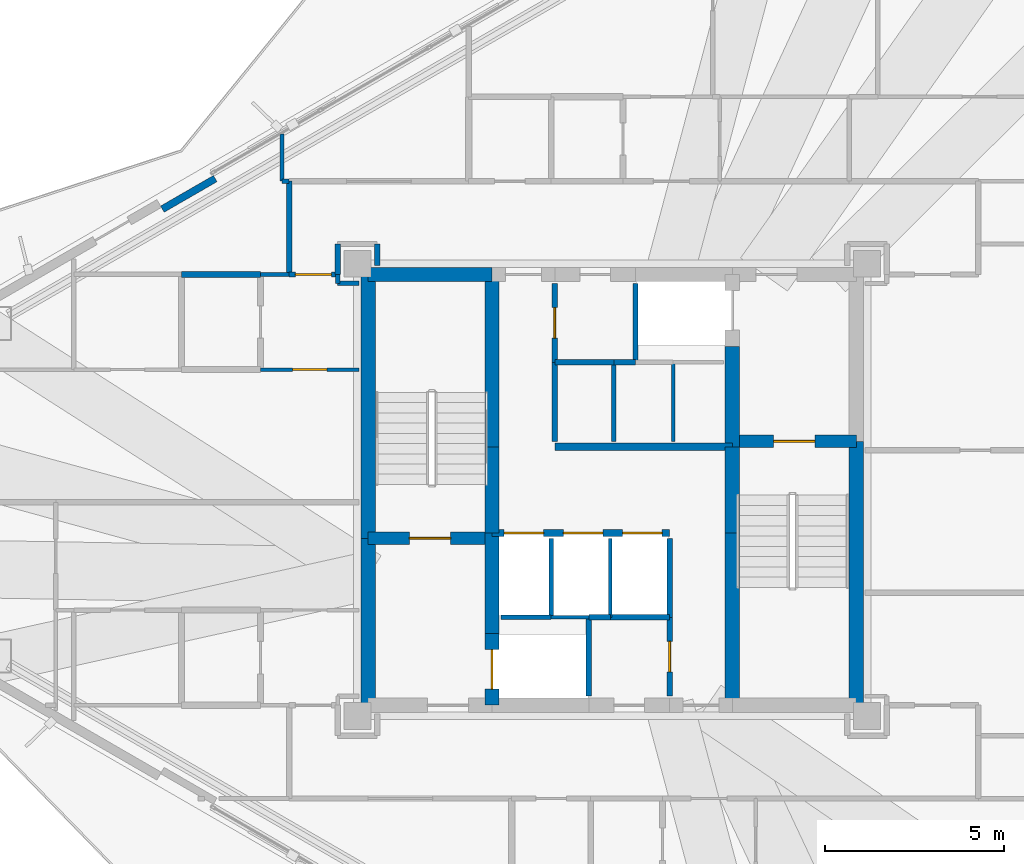
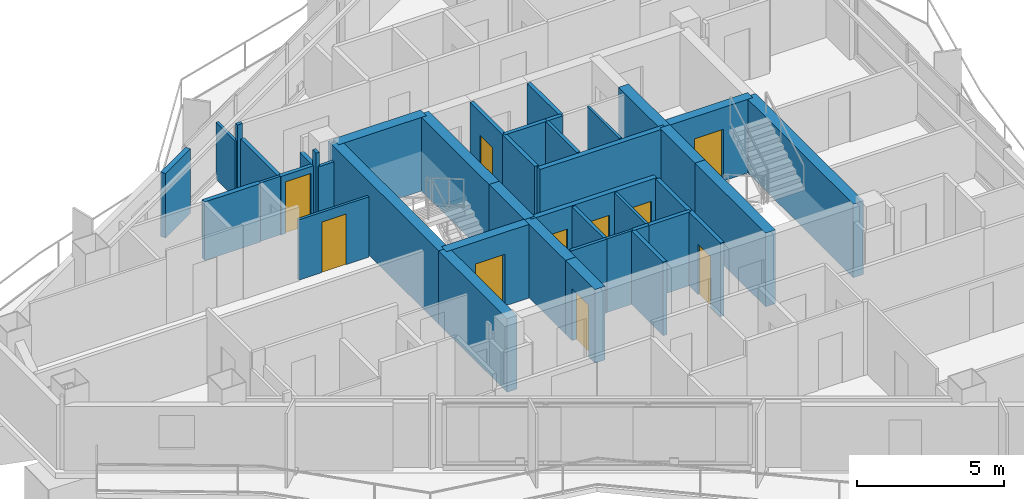
# One storey, part 16 of 21: 43 walls, 10 doors, 10 openings.
"""IFC4 building model written with IfcOpenShell, lengths in metres."""

from ifc_helpers import new_model, si_unit, direction, frame, frame_2d, origin, place, context, subcontext, project, spatial, rectangle, extrude, material, layer, layer_set, type_object, element, fill, save


model = new_model("IFC4")

# Units and contexts
model_context = context("Model", 3, precision=1e-05, world=origin(), true_north=direction((0.0, 1.0)))
body_context = subcontext(model_context, "Body", "Model", "MODEL_VIEW")
ifc_project = project(units=[si_unit("LENGTHUNIT", "METRE"), si_unit("AREAUNIT", "SQUARE_METRE"), si_unit("VOLUMEUNIT", "CUBIC_METRE"), si_unit("PLANEANGLEUNIT", "RADIAN"), si_unit("MASSUNIT", "GRAM", prefix="KILO")], contexts=[model_context])

# Site, building, storey
site_placement = place(None, origin())
site = spatial("IfcSite", under=ifc_project, at=site_placement, CompositionType="ELEMENT")
building_placement = place(site_placement, origin())
building = spatial("IfcBuilding", under=site, at=building_placement, Name="Mersakhor Tower and Convention Hall", CompositionType="ELEMENT")
storey_placement = place(building_placement, frame((0.0, 0.0, 121.199951171875)))
storey = spatial("IfcBuildingStorey", under=building, at=storey_placement, Name="L33", CompositionType="ELEMENT", Elevation=121.199951171875)

# Walls
ifc_material_1 = material(Name="Precast concrete C40/50", Category="concrete")
ifc_layer_1 = layer(ifc_material_1, 0.199951171875)
ifc_layer_set_1 = layer_set([ifc_layer_1], Name="Precast concrete C40/50")
wall_type_1 = type_object("IfcWallType", Name="WL-PAR-200", PredefinedType="PARAPET", material=ifc_layer_set_1)
wall_1_placement = place(storey_placement, frame((16.467529296875, 34.57080078125, 0.0), z_axis=(0.0, 0.0, 1.0), x_axis=(0.865989465428, 0.500062241894, 0.0)))
element("IfcWall", 1, at=wall_1_placement, inside=storey, type_object=wall_type_1, Name="L33 Column Pier Cladding Wall F1-C1", PredefinedType="PARAPET", context=body_context, shape_type="SweptSolid", body=[
    extrude(rectangle(XDim=1.699951171875, YDim=0.199951171875, at=frame_2d((0.85009765625, 0.0))), origin(), (0.0, 0.0, 1.0), 2.679931640625),
])
ifc_material_2 = material(Name="Moisture-resistant acoustic drywall studwork", Category="other")
ifc_layer_2 = layer(ifc_material_2, 0.175048828125)
ifc_layer_set_2 = layer_set([ifc_layer_2], Name="Moisture-resistant acoustic drywall studwork")
wall_type_2 = type_object("IfcWallType", Name="WL-PLM-175", PredefinedType="PLUMBINGWALL", material=ifc_layer_set_2)
wall_2_placement = place(storey_placement, frame((17.0, 32.75, 0.0), z_axis=(0.0, 0.0, 1.0), x_axis=(1.0, 0.0, 0.0)))
element("IfcWall", 2, at=wall_2_placement, inside=storey, type_object=wall_type_2, Name="L33 Interior Partition Wall P-082", PredefinedType="PLUMBINGWALL", context=body_context, shape_type="SweptSolid", body=[
    extrude(rectangle(XDim=2.199951171875, YDim=0.175048828125, at=frame_2d((1.10009765625, 0.0))), origin(), (0.0, 0.0, 1.0), 2.432861328125),
])
ifc_material_3 = material(Name="Lightweight gypsum partition", Category="other")
ifc_layer_3 = layer(ifc_material_3, 0.10009765625)
ifc_layer_set_3 = layer_set([ifc_layer_3], Name="Lightweight gypsum partition")
wall_type_3 = type_object("IfcWallType", Name="WL-PRT-100", PredefinedType="PARTITIONING", material=ifc_layer_set_3)
wall_3_placement = place(storey_placement, frame((27.300048828125, 23.199951171875, 0.0), z_axis=(0.0, 0.0, 1.0), x_axis=(1.0, 0.0, 0.0)))
element("IfcWall", 3, at=wall_3_placement, inside=storey, type_object=wall_type_3, Name="L33 Interior Partition Wall P-002", PredefinedType="PARTITIONING", context=body_context, shape_type="SweptSolid", body=[
    extrude(rectangle(XDim=1.050048828125, YDim=0.10009765625, at=frame_2d((0.52490234375, 0.0))), origin(), (0.0, 0.0, 1.0), 3.06005859375),
])
for number, where, z_axis, x_axis, name in (
    (4, (28.949951171875, 25.39990234375, 0.0), (0.0, 0.0, 1.0), (0.0, -1.0, 0.0), "L33 Interior Partition Wall P-008"),
    (5, (30.699951171875, 30.300048828125, 0.0), (0.0, 0.0, 1.0), (0.0, -1.0, 0.0), "L33 Interior Partition Wall P-016"),
):
    element("IfcWall", number, at=place(storey_placement, frame(where, z_axis=z_axis, x_axis=x_axis)), inside=storey, type_object=wall_type_3, Name=name, PredefinedType="PARTITIONING", context=body_context, shape_type="SweptSolid", body=[
        extrude(rectangle(XDim=2.199951171875, YDim=0.10009765625, at=frame_2d((1.10009765625, 0.0))), origin(), (0.0, 0.0, 1.0), 3.06005859375),
    ])

# Wall, opening, door
wall_4_placement = place(storey_placement, frame((21.949951171875, 30.10009765625, 0.0), z_axis=(0.0, 0.0, 1.0), x_axis=(-1.0, 0.0, 0.0)))
wall_4 = element("IfcWall", 6, at=wall_4_placement, inside=storey, type_object=wall_type_3, Name="L33 Interior Partition Wall P-060", PredefinedType="PARTITIONING", context=body_context, shape_type="SweptSolid", body=[
    extrude(rectangle(XDim=2.75, YDim=0.10009765625, at=frame_2d((1.375, 0.0))), origin(), (0.0, 0.0, 1.0), 2.50830078125),
])
opening_1_placement = place(wall_4_placement, frame((0.89990234375, 0.0, 0.0)))
opening_1 = element("IfcOpeningElement", 7, at=opening_1_placement, cuts=wall_4, Name="Opening RD-01", PredefinedType="OPENING", context=body_context, shape_type="SweptSolid", body=[
    extrude(rectangle(XDim=0.949951171875, YDim=2.10009765625, at=frame_2d((0.47509765625, 1.050048828125))), frame((0.0, 0.06005859375, 0.0), z_axis=(0.0, -1.0, 0.0), x_axis=(1.0, 0.0, 0.0)), (0.0, 0.0, 1.0), 0.1201171875),
])
ifc_material_4 = material(Name="Solid-core hardwood leaf in painted steel frame", Category="steel")
door_type_1 = type_object("IfcDoorType", Name="DR-INT-RM-095x210", OperationType="NOTDEFINED", PredefinedType="DOOR", material=ifc_material_4)
door_1_placement = place(opening_1_placement, origin())
door_1 = element("IfcDoor", 8, at=door_1_placement, inside=storey, type_object=door_type_1, Name="L33 L33 Flat W3 Apartment Hall to L33 Flat W3 Studio Living and Sleeping Room Door", OperationType="SINGLE_SWING_LEFT", OverallHeight=2.10009765625, OverallWidth=0.949951171875, PredefinedType="DOOR", context=body_context, shape_type="SweptSolid", body=[
    extrude(rectangle(XDim=0.949951171875, YDim=2.10009765625, at=frame_2d((0.47509765625, 1.050048828125))), frame((0.0, 0.02490234375, 0.0), z_axis=(0.0, -1.0, 0.0), x_axis=(1.0, 0.0, 0.0)), (0.0, 0.0, 1.0), 0.050048828125),
])
fill(opening_1, door_1)

# Walls
wall_5_placement = place(storey_placement, frame((19.199951171875, 32.75, 0.0), z_axis=(0.0, 0.0, 1.0), x_axis=(1.0, 0.0, 0.0)))
element("IfcWall", 9, at=wall_5_placement, inside=storey, type_object=wall_type_3, Name="L33 Interior Partition Wall P-062", PredefinedType="PARTITIONING", context=body_context, shape_type="SweptSolid", body=[
    extrude(rectangle(XDim=0.800048828125, YDim=0.10009765625, at=frame_2d((0.39990234375, 0.0))), origin(), (0.0, 0.0, 1.0), 2.432861328125),
])
wall_6_placement = place(storey_placement, frame((19.800048828125, 35.35009765625, 0.0), z_axis=(0.0, 0.0, 1.0), x_axis=(0.0, 1.0, 0.0)))
element("IfcWall", 10, at=wall_6_placement, inside=storey, type_object=wall_type_3, Name="L33 Interior Partition Wall P-096", PredefinedType="PARTITIONING", context=body_context, shape_type="SweptSolid", body=[
    extrude(rectangle(XDim=1.30859375, YDim=0.10009765625, at=frame_2d((0.654296875, 0.0))), origin(), (0.0, 0.0, 1.0), 2.364990234375),
])
ifc_material_5 = material(Name="Gypsum board acoustic partition", Category="other")
ifc_layer_4 = layer(ifc_material_5, 0.125)
ifc_layer_set_4 = layer_set([ifc_layer_4], Name="Gypsum board acoustic partition")
wall_type_4 = type_object("IfcWallType", Name="WL-PRT-125", PredefinedType="PARTITIONING", material=ifc_layer_set_4)
wall_7_placement = place(storey_placement, frame((25.89990234375, 23.199951171875, 0.0), z_axis=(0.0, 0.0, 1.0), x_axis=(1.0, 0.0, 0.0)))
element("IfcWall", 11, at=wall_7_placement, inside=storey, type_object=wall_type_4, Name="L33 Interior Partition Wall P-001", PredefinedType="PARTITIONING", context=body_context, shape_type="SweptSolid", body=[
    extrude(rectangle(XDim=1.400146484375, YDim=0.125, at=frame_2d((0.7001953125, 0.0))), origin(), (0.0, 0.0, 1.0), 3.06005859375),
])
for number, where, z_axis, x_axis, name in (
    (12, (27.300048828125, 25.39990234375, 0.0), (0.0, 0.0, 1.0), (0.0, -1.0, 0.0), "L33 Interior Partition Wall P-007"),
    (13, (29.050048828125, 30.300048828125, 0.0), (0.0, 0.0, 1.0), (0.0, -1.0, 0.0), "L33 Interior Partition Wall P-013"),
):
    element("IfcWall", number, at=place(storey_placement, frame(where, z_axis=z_axis, x_axis=x_axis)), inside=storey, type_object=wall_type_4, Name=name, PredefinedType="PARTITIONING", context=body_context, shape_type="SweptSolid", body=[
        extrude(rectangle(XDim=2.199951171875, YDim=0.125, at=frame_2d((1.10009765625, 0.0))), origin(), (0.0, 0.0, 1.0), 3.06005859375),
    ])
wall_8_placement = place(storey_placement, frame((21.35009765625, 32.5, 0.0), z_axis=(0.0, 0.0, 1.0), x_axis=(1.0, 0.0, 0.0)))
element("IfcWall", 14, at=wall_8_placement, inside=storey, type_object=wall_type_4, Name="L33 Interior Partition Wall P-059", PredefinedType="PARTITIONING", context=body_context, shape_type="SweptSolid", body=[
    extrude(rectangle(XDim=0.599853515625, YDim=0.125, at=frame_2d((0.2998046875, 0.0))), origin(), (0.0, 0.0, 1.0), 2.50830078125),
])
wall_9_placement = place(storey_placement, frame((21.35009765625, 32.75, 0.0), z_axis=(0.0, 0.0, 1.0), x_axis=(0.0, -1.0, 0.0)))
element("IfcWall", 15, at=wall_9_placement, inside=storey, type_object=wall_type_4, Name="L33 Interior Partition Wall P-063", PredefinedType="PARTITIONING", context=body_context, shape_type="SweptSolid", body=[
    extrude(rectangle(XDim=0.25, YDim=0.125, at=frame_2d((0.125, 0.0))), origin(), (0.0, 0.0, 1.0), 3.06005859375),
])
wall_10_placement = place(storey_placement, frame((20.0, 35.35009765625, 0.0), z_axis=(0.0, 0.0, 1.0), x_axis=(-1.0, 0.0, 0.0)))
element("IfcWall", 16, at=wall_10_placement, inside=storey, type_object=wall_type_4, Name="L33 Interior Partition Wall P-095", PredefinedType="PARTITIONING", context=body_context, shape_type="SweptSolid", body=[
    extrude(rectangle(XDim=0.199951171875, YDim=0.125, at=frame_2d((0.10009765625, 0.0))), origin(), (0.0, 0.0, 1.0), 3.06005859375),
])
ifc_material_6 = material(Name="Fire-rated gypsum board stud partition", Category="other")
ifc_layer_5 = layer(ifc_material_6, 0.14990234375)
ifc_layer_set_5 = layer_set([ifc_layer_5], Name="Fire-rated gypsum board stud partition")
wall_type_5 = type_object("IfcWallType", Name="WL-PRT-150", PredefinedType="PARTITIONING", material=ifc_layer_set_5)
for number, where, z_axis, x_axis, name in (
    (17, (28.35009765625, 23.199951171875, 0.0), (0.0, 0.0, 1.0), (0.0, -1.0, 0.0), "L33 Interior Partition Wall P-003"),
    (18, (29.64990234375, 30.300048828125, 0.0), (0.0, 0.0, 1.0), (0.0, 1.0, 0.0), "L33 Interior Partition Wall P-006"),
):
    element("IfcWall", number, at=place(storey_placement, frame(where, z_axis=z_axis, x_axis=x_axis)), inside=storey, type_object=wall_type_5, Name=name, PredefinedType="PARTITIONING", context=body_context, shape_type="SweptSolid", body=[
        extrude(rectangle(XDim=2.199951171875, YDim=0.14990234375, at=frame_2d((1.10009765625, 0.0))), origin(), (0.0, 0.0, 1.0), 3.06005859375),
    ])
wall_11_placement = place(storey_placement, frame((28.949951171875, 23.199951171875, 0.0), z_axis=(0.0, 0.0, 1.0), x_axis=(-1.0, 0.0, 0.0)))
element("IfcWall", 19, at=wall_11_placement, inside=storey, type_object=wall_type_5, Name="L33 Interior Partition Wall P-009", PredefinedType="PARTITIONING", context=body_context, shape_type="SweptSolid", body=[
    extrude(rectangle(XDim=0.599853515625, YDim=0.14990234375, at=frame_2d((0.2998046875, 0.0))), origin(), (0.0, 0.0, 1.0), 3.06005859375),
])
wall_12_placement = place(storey_placement, frame((30.60009765625, 25.39990234375, 0.0), z_axis=(0.0, 0.0, 1.0), x_axis=(0.0, -1.0, 0.0)))
element("IfcWall", 20, at=wall_12_placement, inside=storey, type_object=wall_type_5, Name="L33 Interior Partition Wall P-010", PredefinedType="PARTITIONING", context=body_context, shape_type="SweptSolid", body=[
    extrude(rectangle(XDim=2.199951171875, YDim=0.14990234375, at=frame_2d((1.10009765625, 0.0))), origin(), (0.0, 0.0, 1.0), 3.06005859375),
])
for number, where, z_axis, x_axis, name in (
    (21, (30.60009765625, 23.199951171875, 0.0), (0.0, 0.0, 1.0), (-1.0, 0.0, 0.0), "L33 Interior Partition Wall P-011"),
    (22, (27.39990234375, 30.300048828125, 0.0), (0.0, 0.0, 1.0), (1.0, 0.0, 0.0), "L33 Interior Partition Wall P-012"),
):
    element("IfcWall", number, at=place(storey_placement, frame(where, z_axis=z_axis, x_axis=x_axis)), inside=storey, type_object=wall_type_5, Name=name, PredefinedType="PARTITIONING", context=body_context, shape_type="SweptSolid", body=[
        extrude(rectangle(XDim=1.650146484375, YDim=0.14990234375, at=frame_2d((0.8251953125, 0.0))), origin(), (0.0, 0.0, 1.0), 3.06005859375),
    ])
wall_13_placement = place(storey_placement, frame((27.39990234375, 28.10009765625, 0.0), z_axis=(0.0, 0.0, 1.0), x_axis=(0.0, 1.0, 0.0)))
element("IfcWall", 23, at=wall_13_placement, inside=storey, type_object=wall_type_5, Name="L33 Interior Partition Wall P-014", PredefinedType="PARTITIONING", context=body_context, shape_type="SweptSolid", body=[
    extrude(rectangle(XDim=2.199951171875, YDim=0.14990234375, at=frame_2d((1.10009765625, 0.0))), origin(), (0.0, 0.0, 1.0), 3.06005859375),
])
wall_14_placement = place(storey_placement, frame((29.050048828125, 30.300048828125, 0.0), z_axis=(0.0, 0.0, 1.0), x_axis=(1.0, 0.0, 0.0)))
element("IfcWall", 24, at=wall_14_placement, inside=storey, type_object=wall_type_5, Name="L33 Interior Partition Wall P-015", PredefinedType="PARTITIONING", context=body_context, shape_type="SweptSolid", body=[
    extrude(rectangle(XDim=0.599853515625, YDim=0.14990234375, at=frame_2d((0.2998046875, 0.0))), origin(), (0.0, 0.0, 1.0), 3.06005859375),
])

# Wall, opening, door
wall_15_placement = place(storey_placement, frame((30.60009765625, 21.0, 0.0), z_axis=(0.0, 0.0, 1.0), x_axis=(0.0, 1.0, 0.0)))
wall_15 = element("IfcWall", 25, at=wall_15_placement, inside=storey, type_object=wall_type_5, Name="L33 Interior Partition Wall P-017", PredefinedType="PARTITIONING", context=body_context, shape_type="SweptSolid", body=[
    extrude(rectangle(XDim=2.199951171875, YDim=0.14990234375, at=frame_2d((1.10009765625, 0.0))), origin(), (0.0, 0.0, 1.0), 3.06005859375),
])
opening_2_placement = place(wall_15_placement, frame((0.675048828125, 0.0, 0.0)))
opening_2 = element("IfcOpeningElement", 26, at=opening_2_placement, cuts=wall_15, Name="Opening SVD-01", PredefinedType="OPENING", context=body_context, shape_type="SweptSolid", body=[
    extrude(rectangle(XDim=0.85009765625, YDim=2.10009765625, at=frame_2d((0.425048828125, 1.050048828125))), frame((0.0, 0.0849609375, 0.0), z_axis=(0.0, -1.0, 0.0), x_axis=(1.0, 0.0, 0.0)), (0.0, 0.0, 1.0), 0.169921875),
])
ifc_material_7 = material(Name="Fire-rated hardwood leaf and painted steel frame", Category="steel")
door_type_2 = type_object("IfcDoorType", Name="DR-INT-SVC-085x210", OperationType="NOTDEFINED", PredefinedType="DOOR", material=ifc_material_7)
door_2_placement = place(opening_2_placement, origin())
door_2 = element("IfcDoor", 27, at=door_2_placement, inside=storey, type_object=door_type_2, Name="L33 Central Passenger Lift Lobby to Electrical Switchroom Door", OperationType="SINGLE_SWING_RIGHT", OverallHeight=2.10009765625, OverallWidth=0.85009765625, PredefinedType="DOOR", context=body_context, shape_type="SweptSolid", body=[
    extrude(rectangle(XDim=0.85009765625, YDim=2.10009765625, at=frame_2d((0.425048828125, 1.050048828125))), frame((0.0, 0.02490234375, 0.0), z_axis=(0.0, -1.0, 0.0), x_axis=(1.0, 0.0, 0.0)), (0.0, 0.0, 1.0), 0.050048828125),
])
fill(opening_2, door_2)

wall_16_placement = place(storey_placement, frame((27.39990234375, 32.5, 0.0), z_axis=(0.0, 0.0, 1.0), x_axis=(0.0, -1.0, 0.0)))
wall_16 = element("IfcWall", 28, at=wall_16_placement, inside=storey, type_object=wall_type_5, Name="L33 Interior Partition Wall P-018", PredefinedType="PARTITIONING", context=body_context, shape_type="SweptSolid", body=[
    extrude(rectangle(XDim=2.199951171875, YDim=0.14990234375, at=frame_2d((1.10009765625, 0.0))), origin(), (0.0, 0.0, 1.0), 3.06005859375),
])
opening_3_placement = place(wall_16_placement, frame((0.675048828125, 0.0, 0.0)))
opening_3 = element("IfcOpeningElement", 29, at=opening_3_placement, cuts=wall_16, Name="Opening SVD-01", PredefinedType="OPENING", context=body_context, shape_type="SweptSolid", body=[
    extrude(rectangle(XDim=0.85009765625, YDim=2.10009765625, at=frame_2d((0.425048828125, 1.050048828125))), frame((0.0, 0.0849609375, 0.0), z_axis=(0.0, -1.0, 0.0), x_axis=(1.0, 0.0, 0.0)), (0.0, 0.0, 1.0), 0.169921875),
])
door_3_placement = place(opening_3_placement, origin())
door_3 = element("IfcDoor", 30, at=door_3_placement, inside=storey, type_object=door_type_2, Name="L33 Central Passenger Lift Lobby to Telecoms and BMS Riser Room Door", OperationType="SINGLE_SWING_LEFT", OverallHeight=2.10009765625, OverallWidth=0.85009765625, PredefinedType="DOOR", context=body_context, shape_type="SweptSolid", body=[
    extrude(rectangle(XDim=0.85009765625, YDim=2.10009765625, at=frame_2d((0.425048828125, 1.050048828125))), frame((0.0, 0.02490234375, 0.0), z_axis=(0.0, -1.0, 0.0), x_axis=(1.0, 0.0, 0.0)), (0.0, 0.0, 1.0), 0.050048828125),
])
fill(opening_3, door_3)

# Walls
wall_17_placement = place(storey_placement, frame((22.449951171875, 33.0, 0.0), z_axis=(0.0, 0.0, 1.0), x_axis=(0.0, 1.0, 0.0)))
element("IfcWall", 31, at=wall_17_placement, inside=storey, type_object=wall_type_5, Name="L33 Interior Partition Wall P-020", PredefinedType="PARTITIONING", context=body_context, shape_type="SweptSolid", body=[
    extrude(rectangle(XDim=0.60009765625, YDim=0.14990234375, at=frame_2d((0.300048828125, 0.0))), origin(), (0.0, 0.0, 1.0), 2.50830078125),
])
wall_18_placement = place(storey_placement, frame((21.35009765625, 33.60009765625, 0.0), z_axis=(0.0, 0.0, 1.0), x_axis=(0.0, -1.0, 0.0)))
element("IfcWall", 32, at=wall_18_placement, inside=storey, type_object=wall_type_5, Name="L33 Interior Partition Wall P-022", PredefinedType="PARTITIONING", context=body_context, shape_type="SweptSolid", body=[
    extrude(rectangle(XDim=0.85009765625, YDim=0.14990234375, at=frame_2d((0.425048828125, 0.0))), origin(), (0.0, 0.0, 1.0), 2.432861328125),
])

# Wall, opening, door
wall_19_placement = place(storey_placement, frame((21.35009765625, 32.75, 0.0), z_axis=(0.0, 0.0, 1.0), x_axis=(-1.0, 0.0, 0.0)))
wall_19 = element("IfcWall", 33, at=wall_19_placement, inside=storey, type_object=wall_type_5, Name="L33 Interior Partition Wall P-023", PredefinedType="PARTITIONING", context=body_context, shape_type="SweptSolid", body=[
    extrude(rectangle(XDim=1.35009765625, YDim=0.14990234375, at=frame_2d((0.675048828125, 0.0))), origin(), (0.0, 0.0, 1.0), 2.432861328125),
])
opening_4_placement = place(wall_19_placement, frame((0.175048828125, 0.0, 0.0)))
opening_4 = element("IfcOpeningElement", 34, at=opening_4_placement, cuts=wall_19, Name="Opening FD-01", PredefinedType="OPENING", context=body_context, shape_type="SweptSolid", body=[
    extrude(rectangle(XDim=1.0, YDim=2.14990234375, at=frame_2d((0.5, 1.074951171875))), frame((0.0, 0.0849609375, 0.0), z_axis=(0.0, -1.0, 0.0), x_axis=(1.0, 0.0, 0.0)), (0.0, 0.0, 1.0), 0.169921875),
])
ifc_material_8 = material(Name="Fire-rated hardwood leaf and painted steel frame", Category="steel")
door_type_3 = type_object("IfcDoorType", Name="DR-INT-FLT-100x215", OperationType="NOTDEFINED", PredefinedType="DOOR", material=ifc_material_8)
door_4_placement = place(opening_4_placement, origin())
door_4 = element("IfcDoor", 35, at=door_4_placement, inside=storey, type_object=door_type_3, Name="L33 Apartment Entrance Door (Residential North Gallery Corridor to L33 Flat W3 Apartment Hall)", OperationType="SINGLE_SWING_LEFT", OverallHeight=2.14990234375, OverallWidth=1.0, PredefinedType="DOOR", context=body_context, shape_type="SweptSolid", body=[
    extrude(rectangle(XDim=1.0, YDim=2.14990234375, at=frame_2d((0.5, 1.074951171875))), frame((0.0, 0.02490234375, 0.0), z_axis=(0.0, -1.0, 0.0), x_axis=(1.0, 0.0, 0.0)), (0.0, 0.0, 1.0), 0.050048828125),
])
fill(opening_4, door_4)

# Wall
wall_20_placement = place(storey_placement, frame((20.0, 32.75, 0.0), z_axis=(0.0, 0.0, 1.0), x_axis=(0.0, 1.0, 0.0)))
element("IfcWall", 36, at=wall_20_placement, inside=storey, type_object=wall_type_5, Name="L33 Interior Partition Wall P-024", PredefinedType="PARTITIONING", context=body_context, shape_type="SweptSolid", body=[
    extrude(rectangle(XDim=2.60009765625, YDim=0.14990234375, at=frame_2d((1.300048828125, 0.0))), origin(), (0.0, 0.0, 1.0), 2.432861328125),
])

# Wall, openings, doors
ifc_material_9 = material(Name="Acoustic concrete blockwork and gypsum board", Category="masonry")
ifc_layer_6 = layer(ifc_material_9, 0.199951171875)
ifc_layer_set_6 = layer_set([ifc_layer_6], Name="Acoustic concrete blockwork and gypsum board")
wall_type_6 = type_object("IfcWallType", Name="WL-PRT-200", PredefinedType="PARTITIONING", material=ifc_layer_set_6)
wall_21_placement = place(storey_placement, frame((25.64990234375, 25.550048828125, 0.0), z_axis=(0.0, 0.0, 1.0), x_axis=(1.0, 0.0, 0.0)))
wall_21 = element("IfcWall", 37, at=wall_21_placement, inside=storey, type_object=wall_type_6, Name="L33 High-Rise Lift Bank Front Wall", PredefinedType="PARTITIONING", context=body_context, shape_type="SweptSolid", body=[
    extrude(rectangle(XDim=4.9501953125, YDim=0.199951171875, at=frame_2d((2.47509765625, 0.0))), origin(), (0.0, 0.0, 1.0), 3.06005859375),
])
opening_5_placement = place(wall_21_placement, frame((0.340087890625, 0.0, 0.0)))
opening_5 = element("IfcOpeningElement", 38, at=opening_5_placement, cuts=wall_21, Name="Opening LD-P4", PredefinedType="OPENING", context=body_context, shape_type="SweptSolid", body=[
    extrude(rectangle(XDim=1.10009765625, YDim=2.14990234375, at=frame_2d((0.550048828125, 1.074951171875))), frame((0.0, 0.10986328125, 0.0), z_axis=(0.0, -1.0, 0.0), x_axis=(1.0, 0.0, 0.0)), (0.0, 0.0, 1.0), 0.219970703125),
])
opening_6_placement = place(wall_21_placement, frame((1.989990234375, 0.0, 0.0)))
opening_6 = element("IfcOpeningElement", 39, at=opening_6_placement, cuts=wall_21, Name="Opening LD-P5", PredefinedType="OPENING", context=body_context, shape_type="SweptSolid", body=[
    extrude(rectangle(XDim=1.10009765625, YDim=2.14990234375, at=frame_2d((0.550048828125, 1.074951171875))), frame((0.0, 0.10986328125, 0.0), z_axis=(0.0, -1.0, 0.0), x_axis=(1.0, 0.0, 0.0)), (0.0, 0.0, 1.0), 0.219970703125),
])
opening_7_placement = place(wall_21_placement, frame((3.639892578125, 0.0, 0.0)))
opening_7 = element("IfcOpeningElement", 40, at=opening_7_placement, cuts=wall_21, Name="Opening LD-P6", PredefinedType="OPENING", context=body_context, shape_type="SweptSolid", body=[
    extrude(rectangle(XDim=1.10009765625, YDim=2.14990234375, at=frame_2d((0.550048828125, 1.074951171875))), frame((0.0, 0.10986328125, 0.0), z_axis=(0.0, -1.0, 0.0), x_axis=(1.0, 0.0, 0.0)), (0.0, 0.0, 1.0), 0.219970703125),
])
ifc_material_10 = material(Name="Fire-rated brushed stainless steel sliding landing door", Category="steel")
door_type_4 = type_object("IfcDoorType", Name="DR-LIFT-SLD-110x215", OperationType="NOTDEFINED", PredefinedType="DOOR", material=ifc_material_10)
door_5_placement = place(opening_5_placement, origin())
door_5 = element("IfcDoor", 41, at=door_5_placement, inside=storey, type_object=door_type_4, Name="L33 Lift Landing Door LD-P4", OperationType="SLIDING_TO_LEFT", OverallHeight=2.14990234375, OverallWidth=1.10009765625, PredefinedType="DOOR", context=body_context, shape_type="SweptSolid", body=[
    extrude(rectangle(XDim=1.10009765625, YDim=2.14990234375, at=frame_2d((0.550048828125, 1.074951171875))), frame((0.0, 0.02490234375, 0.0), z_axis=(0.0, -1.0, 0.0), x_axis=(1.0, 0.0, 0.0)), (0.0, 0.0, 1.0), 0.050048828125),
])
fill(opening_5, door_5)
door_6_placement = place(opening_6_placement, origin())
door_6 = element("IfcDoor", 42, at=door_6_placement, inside=storey, type_object=door_type_4, Name="L33 Lift Landing Door LD-P5", OperationType="SLIDING_TO_LEFT", OverallHeight=2.14990234375, OverallWidth=1.10009765625, PredefinedType="DOOR", context=body_context, shape_type="SweptSolid", body=[
    extrude(rectangle(XDim=1.10009765625, YDim=2.14990234375, at=frame_2d((0.550048828125, 1.074951171875))), frame((0.0, 0.02490234375, 0.0), z_axis=(0.0, -1.0, 0.0), x_axis=(1.0, 0.0, 0.0)), (0.0, 0.0, 1.0), 0.050048828125),
])
fill(opening_6, door_6)
door_7_placement = place(opening_7_placement, origin())
door_7 = element("IfcDoor", 43, at=door_7_placement, inside=storey, type_object=door_type_4, Name="L33 Lift Landing Door LD-P6", OperationType="SLIDING_TO_LEFT", OverallHeight=2.14990234375, OverallWidth=1.10009765625, PredefinedType="DOOR", context=body_context, shape_type="SweptSolid", body=[
    extrude(rectangle(XDim=1.10009765625, YDim=2.14990234375, at=frame_2d((0.550048828125, 1.074951171875))), frame((0.0, 0.02490234375, 0.0), z_axis=(0.0, -1.0, 0.0), x_axis=(1.0, 0.0, 0.0)), (0.0, 0.0, 1.0), 0.050048828125),
])
fill(opening_7, door_7)

# Wall
wall_22_placement = place(storey_placement, frame((27.39990234375, 27.949951171875, 0.0), z_axis=(0.0, 0.0, 1.0), x_axis=(1.0, 0.0, 0.0)))
element("IfcWall", 44, at=wall_22_placement, inside=storey, type_object=wall_type_6, Name="L33 Low-Rise Lift Bank Front Wall", PredefinedType="PARTITIONING", context=body_context, shape_type="SweptSolid", body=[
    extrude(rectangle(XDim=4.9501953125, YDim=0.199951171875, at=frame_2d((2.47509765625, 0.0))), origin(), (0.0, 0.0, 1.0), 3.06005859375),
])

# Wall, opening, door
ifc_material_11 = material(Name="Concrete C50/60", Category="concrete")
ifc_layer_7 = layer(ifc_material_11, 0.35009765625)
ifc_layer_set_7 = layer_set([ifc_layer_7], Name="Concrete C50/60")
wall_type_7 = type_object("IfcWallType", Name="WL-SHR-350", PredefinedType="SHEAR", material=ifc_layer_set_7)
wall_23_placement = place(storey_placement, frame((22.199951171875, 25.39990234375, 0.0), z_axis=(0.0, 0.0, 1.0), x_axis=(1.0, 0.0, 0.0)))
wall_23 = element("IfcWall", 45, at=wall_23_placement, inside=storey, type_object=wall_type_7, Name="L33 Core Wall CS-ST1-S", PredefinedType="SHEAR", context=body_context, shape_type="SweptSolid", body=[
    extrude(rectangle(XDim=3.449951171875, YDim=0.35009765625, at=frame_2d((1.72509765625, 0.0))), origin(), (0.0, 0.0, 1.0), 3.06005859375),
])
opening_8_placement = place(wall_23_placement, frame((1.14990234375, 0.0, 0.0)))
opening_8 = element("IfcOpeningElement", 46, at=opening_8_placement, cuts=wall_23, Name="Opening SD-01", PredefinedType="OPENING", context=body_context, shape_type="SweptSolid", body=[
    extrude(rectangle(XDim=1.14990234375, YDim=2.14990234375, at=frame_2d((0.574951171875, 1.074951171875))), frame((0.0, 0.18505859375, 0.0), z_axis=(0.0, -1.0, 0.0), x_axis=(1.0, 0.0, 0.0)), (0.0, 0.0, 1.0), 0.3701171875),
])
ifc_material_12 = material(Name="Fire-rated hardwood leaf and painted steel frame", Category="steel")
door_type_5 = type_object("IfcDoorType", Name="DR-INT-STAIR-115x215", OperationType="NOTDEFINED", PredefinedType="DOOR", material=ifc_material_12)
door_8_placement = place(opening_8_placement, origin())
door_8 = element("IfcDoor", 47, at=door_8_placement, inside=storey, type_object=door_type_5, Name="L33 Exit Stair ST-1 Enclosure Door", OperationType="SINGLE_SWING_LEFT", OverallHeight=2.14990234375, OverallWidth=1.14990234375, PredefinedType="DOOR", context=body_context, shape_type="SweptSolid", body=[
    extrude(rectangle(XDim=1.14990234375, YDim=2.14990234375, at=frame_2d((0.574951171875, 1.074951171875))), frame((0.0, 0.02490234375, 0.0), z_axis=(0.0, -1.0, 0.0), x_axis=(1.0, 0.0, 0.0)), (0.0, 0.0, 1.0), 0.050048828125),
])
fill(opening_8, door_8)

wall_24_placement = place(storey_placement, frame((32.35009765625, 28.10009765625, 0.0), z_axis=(0.0, 0.0, 1.0), x_axis=(1.0, 0.0, 0.0)))
wall_24 = element("IfcWall", 48, at=wall_24_placement, inside=storey, type_object=wall_type_7, Name="L33 Core Wall CS-ST2-N", PredefinedType="SHEAR", context=body_context, shape_type="SweptSolid", body=[
    extrude(rectangle(XDim=3.449951171875, YDim=0.35009765625, at=frame_2d((1.72509765625, 0.0))), origin(), (0.0, 0.0, 1.0), 3.06005859375),
])
opening_9_placement = place(wall_24_placement, frame((1.14990234375, 0.0, 0.0)))
opening_9 = element("IfcOpeningElement", 49, at=opening_9_placement, cuts=wall_24, Name="Opening SD-01", PredefinedType="OPENING", context=body_context, shape_type="SweptSolid", body=[
    extrude(rectangle(XDim=1.14990234375, YDim=2.14990234375, at=frame_2d((0.574951171875, 1.074951171875))), frame((0.0, 0.18505859375, 0.0), z_axis=(0.0, -1.0, 0.0), x_axis=(1.0, 0.0, 0.0)), (0.0, 0.0, 1.0), 0.3701171875),
])
door_9_placement = place(opening_9_placement, origin())
door_9 = element("IfcDoor", 50, at=door_9_placement, inside=storey, type_object=door_type_5, Name="L33 Exit Stair ST-2 Enclosure Door", OperationType="SINGLE_SWING_RIGHT", OverallHeight=2.14990234375, OverallWidth=1.14990234375, PredefinedType="DOOR", context=body_context, shape_type="SweptSolid", body=[
    extrude(rectangle(XDim=1.14990234375, YDim=2.14990234375, at=frame_2d((0.574951171875, 1.074951171875))), frame((0.0, 0.02490234375, 0.0), z_axis=(0.0, -1.0, 0.0), x_axis=(1.0, 0.0, 0.0)), (0.0, 0.0, 1.0), 0.050048828125),
])
fill(opening_9, door_9)

# Walls
ifc_material_13 = material(Name="Concrete C60/75", Category="concrete")
ifc_layer_8 = layer(ifc_material_13, 0.39990234375)
ifc_layer_set_8 = layer_set([ifc_layer_8], Name="Concrete C60/75")
wall_type_8 = type_object("IfcWallType", Name="WL-SHR-400", PredefinedType="SHEAR", material=ifc_layer_set_8)
wall_25_placement = place(storey_placement, frame((22.199951171875, 20.75, 0.0), z_axis=(0.0, 0.0, 1.0), x_axis=(0.0, 1.0, 0.0)))
element("IfcWall", 51, at=wall_25_placement, inside=storey, type_object=wall_type_8, Name="L33 Core Wall CW-W1", PredefinedType="SHEAR", context=body_context, shape_type="SweptSolid", body=[
    extrude(rectangle(XDim=4.64990234375, YDim=0.39990234375, at=frame_2d((2.324951171875, 0.0))), origin(), (0.0, 0.0, 1.0), 3.06005859375),
])
wall_26_placement = place(storey_placement, frame((22.199951171875, 25.39990234375, 0.0), z_axis=(0.0, 0.0, 1.0), x_axis=(0.0, 1.0, 0.0)))
element("IfcWall", 52, at=wall_26_placement, inside=storey, type_object=wall_type_8, Name="L33 Core Wall CW-W2", PredefinedType="SHEAR", context=body_context, shape_type="SweptSolid", body=[
    extrude(rectangle(XDim=7.35009765625, YDim=0.39990234375, at=frame_2d((3.675048828125, 0.0))), origin(), (0.0, 0.0, 1.0), 3.06005859375),
])
wall_27_placement = place(storey_placement, frame((22.199951171875, 32.75, 0.0), z_axis=(0.0, 0.0, 1.0), x_axis=(1.0, 0.0, 0.0)))
element("IfcWall", 53, at=wall_27_placement, inside=storey, type_object=wall_type_8, Name="L33 Core Wall CW-N1", PredefinedType="SHEAR", context=body_context, shape_type="SweptSolid", body=[
    extrude(rectangle(XDim=3.449951171875, YDim=0.39990234375, at=frame_2d((1.72509765625, 0.0))), origin(), (0.0, 0.0, 1.0), 3.06005859375),
])
wall_28_placement = place(storey_placement, frame((35.800048828125, 28.10009765625, 0.0), z_axis=(0.0, 0.0, 1.0), x_axis=(0.0, -1.0, 0.0)))
element("IfcWall", 54, at=wall_28_placement, inside=storey, type_object=wall_type_8, Name="L33 Core Wall CW-E2", PredefinedType="SHEAR", context=body_context, shape_type="SweptSolid", body=[
    extrude(rectangle(XDim=7.35009765625, YDim=0.39990234375, at=frame_2d((3.675048828125, 0.0))), origin(), (0.0, 0.0, 1.0), 3.06005859375),
])

# Wall, opening, door
wall_29_placement = place(storey_placement, frame((25.64990234375, 20.75, 0.0), z_axis=(0.0, 0.0, 1.0), x_axis=(0.0, 1.0, 0.0)))
wall_29 = element("IfcWall", 55, at=wall_29_placement, inside=storey, type_object=wall_type_8, Name="L33 Core Wall CS-W-FFL", PredefinedType="SHEAR", context=body_context, shape_type="SweptSolid", body=[
    extrude(rectangle(XDim=2.0, YDim=0.39990234375, at=frame_2d((1.0, 0.0))), origin(), (0.0, 0.0, 1.0), 3.06005859375),
])
opening_10_placement = place(wall_29_placement, frame((0.449951171875, 0.0, 0.0)))
opening_10 = element("IfcOpeningElement", 56, at=opening_10_placement, cuts=wall_29, Name="Opening LD-FFL1", PredefinedType="OPENING", context=body_context, shape_type="SweptSolid", body=[
    extrude(rectangle(XDim=1.10009765625, YDim=2.14990234375, at=frame_2d((0.550048828125, 1.074951171875))), frame((0.0, 0.2099609375, 0.0), z_axis=(0.0, -1.0, 0.0), x_axis=(1.0, 0.0, 0.0)), (0.0, 0.0, 1.0), 0.419921875),
])
door_10_placement = place(opening_10_placement, origin())
door_10 = element("IfcDoor", 57, at=door_10_placement, inside=storey, type_object=door_type_4, Name="L33 Firefighting Lift Landing Door LD-FFL1", OperationType="SLIDING_TO_LEFT", OverallHeight=2.14990234375, OverallWidth=1.10009765625, PredefinedType="DOOR", context=body_context, shape_type="SweptSolid", body=[
    extrude(rectangle(XDim=1.10009765625, YDim=2.14990234375, at=frame_2d((0.550048828125, 1.074951171875))), frame((0.0, 0.02490234375, 0.0), z_axis=(0.0, -1.0, 0.0), x_axis=(1.0, 0.0, 0.0)), (0.0, 0.0, 1.0), 0.050048828125),
])
fill(opening_10, door_10)

# Walls
wall_30_placement = place(storey_placement, frame((25.64990234375, 22.75, 0.0), z_axis=(0.0, 0.0, 1.0), x_axis=(0.0, 1.0, 0.0)))
element("IfcWall", 58, at=wall_30_placement, inside=storey, type_object=wall_type_8, Name="L33 Core Wall CS-W-MID", PredefinedType="SHEAR", context=body_context, shape_type="SweptSolid", body=[
    extrude(rectangle(XDim=2.800048828125, YDim=0.39990234375, at=frame_2d((1.39990234375, 0.0))), origin(), (0.0, 0.0, 1.0), 3.06005859375),
])
wall_31_placement = place(storey_placement, frame((25.64990234375, 25.550048828125, 0.0), z_axis=(0.0, 0.0, 1.0), x_axis=(0.0, 1.0, 0.0)))
element("IfcWall", 59, at=wall_31_placement, inside=storey, type_object=wall_type_8, Name="L33 Core Wall CS-W-LOB", PredefinedType="SHEAR", context=body_context, shape_type="SweptSolid", body=[
    extrude(rectangle(XDim=2.39990234375, YDim=0.39990234375, at=frame_2d((1.199951171875, 0.0))), origin(), (0.0, 0.0, 1.0), 3.06005859375),
])
for number, where, z_axis, x_axis, name in (
    (60, (25.64990234375, 27.949951171875, 0.0), (0.0, 0.0, 1.0), (0.0, 1.0, 0.0), "L33 Core Wall CS-W-ST1"),
    (61, (32.35009765625, 20.75, 0.0), (0.0, 0.0, 1.0), (0.0, 1.0, 0.0), "L33 Core Wall CS-E-ST2"),
):
    element("IfcWall", number, at=place(storey_placement, frame(where, z_axis=z_axis, x_axis=x_axis)), inside=storey, type_object=wall_type_8, Name=name, PredefinedType="SHEAR", context=body_context, shape_type="SweptSolid", body=[
        extrude(rectangle(XDim=4.800048828125, YDim=0.39990234375, at=frame_2d((2.39990234375, 0.0))), origin(), (0.0, 0.0, 1.0), 3.06005859375),
    ])
wall_32_placement = place(storey_placement, frame((32.35009765625, 25.550048828125, 0.0), z_axis=(0.0, 0.0, 1.0), x_axis=(0.0, 1.0, 0.0)))
element("IfcWall", 62, at=wall_32_placement, inside=storey, type_object=wall_type_8, Name="L33 Core Wall CS-E-LOB", PredefinedType="SHEAR", context=body_context, shape_type="SweptSolid", body=[
    extrude(rectangle(XDim=2.39990234375, YDim=0.39990234375, at=frame_2d((1.199951171875, 0.0))), origin(), (0.0, 0.0, 1.0), 3.06005859375),
])
wall_33_placement = place(storey_placement, frame((32.35009765625, 27.949951171875, 0.0), z_axis=(0.0, 0.0, 1.0), x_axis=(0.0, 1.0, 0.0)))
element("IfcWall", 63, at=wall_33_placement, inside=storey, type_object=wall_type_8, Name="L33 Core Wall CS-E-MID", PredefinedType="SHEAR", context=body_context, shape_type="SweptSolid", body=[
    extrude(rectangle(XDim=2.800048828125, YDim=0.39990234375, at=frame_2d((1.39990234375, 0.0))), origin(), (0.0, 0.0, 1.0), 3.06005859375),
])

save(model, "model.ifc")
